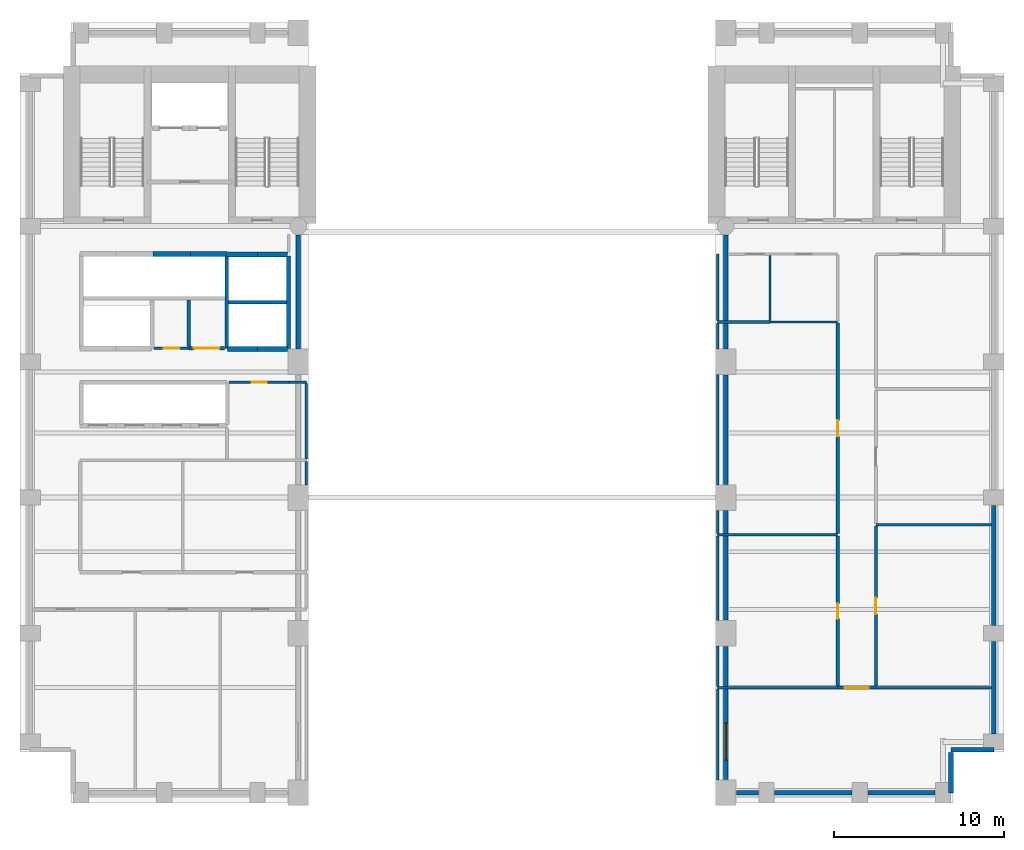
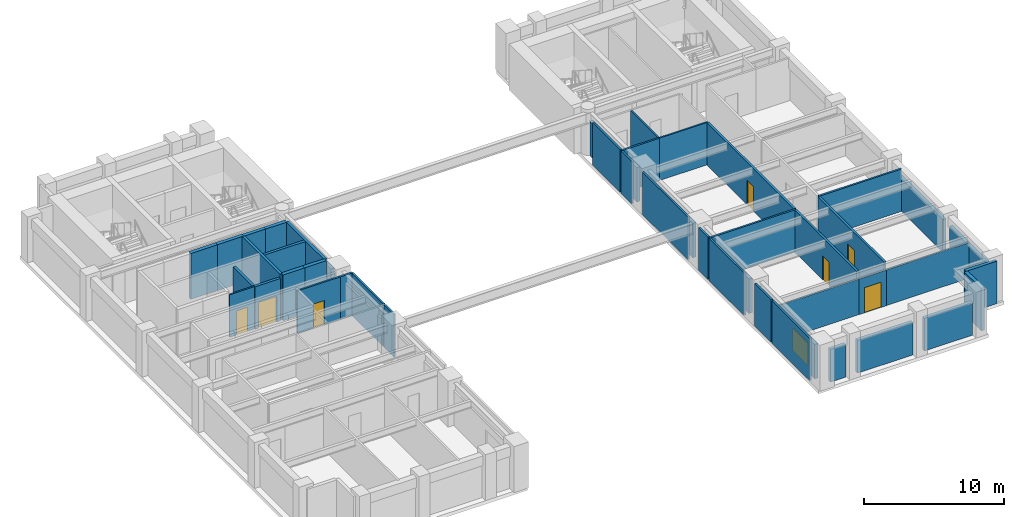
# One storey, part 3 of 7: 46 walls, 7 doors, 1 window, 8 openings.
"""IFC4 building model written with IfcOpenShell, lengths in metres."""

from ifc_helpers import new_model, si_unit, direction, frame, frame_2d, origin, place, context, subcontext, project, spatial, rectangle, extrude, material, layer, layer_set, type_object, element, fill, save


model = new_model("IFC4")

# Units and contexts
model_context = context("Model", 3, precision=1e-05, world=origin(), true_north=direction((0.0, 1.0)))
body_context = subcontext(model_context, "Body", "Model", "MODEL_VIEW")
ifc_project = project(units=[si_unit("LENGTHUNIT", "METRE"), si_unit("AREAUNIT", "SQUARE_METRE"), si_unit("VOLUMEUNIT", "CUBIC_METRE"), si_unit("PLANEANGLEUNIT", "RADIAN"), si_unit("MASSUNIT", "GRAM", prefix="KILO")], contexts=[model_context])

# Site, building, storey
site_placement = place(None, origin())
site = spatial("IfcSite", under=ifc_project, at=site_placement, CompositionType="ELEMENT")
building_placement = place(site_placement, origin())
building = spatial("IfcBuilding", under=site, at=building_placement, Name="Sulina Concourse Tower", CompositionType="ELEMENT")
storey_placement = place(building_placement, frame((0.0, 0.0, 34.60009765625)))
storey = spatial("IfcBuildingStorey", under=building, at=storey_placement, Name="L08", CompositionType="ELEMENT", Elevation=34.60009765625)

# Walls
ifc_material_1 = material(Name="Concrete C50/60", Category="concrete")
ifc_layer_1 = layer(ifc_material_1, 0.219970703125)
ifc_layer_set_1 = layer_set([ifc_layer_1], Name="Concrete C50/60")
wall_type_1 = type_object("IfcWallType", Name="Core Lift Hoistway Divider Wall 220mm", PredefinedType="SOLIDWALL", material=ifc_layer_set_1)
for number, where, z_axis, x_axis, name in (
    (1, (12.179931640625, 26.800048828125, 0.0), (0.0, 0.0, 1.0), (0.0, 1.0, 0.0), "L08 shaft divider wall HW-LP2-W"),
    (2, (15.820068359375, 26.800048828125, 0.0), (0.0, 0.0, 1.0), (0.0, 1.0, 0.0), "L08 shaft divider wall HW-LP2-E"),
):
    element("IfcWall", number, at=place(storey_placement, frame(where, z_axis=z_axis, x_axis=x_axis)), inside=storey, type_object=wall_type_1, Name=name, PredefinedType="SOLIDWALL", context=body_context, shape_type="SweptSolid", body=[
        extrude(rectangle(XDim=5.449951171875, YDim=0.219970703125, at=frame_2d((2.72509765625, 0.0))), origin(), (0.0, 0.0, 1.0), 4.0),
    ])
wall_1_placement = place(storey_placement, frame((12.300048828125, 29.52001953125, 0.0), z_axis=(0.0, 0.0, 1.0), x_axis=(1.0, 0.0, 0.0)))
element("IfcWall", 3, at=wall_1_placement, inside=storey, type_object=wall_type_1, Name="L08 shaft divider wall HW-LP2-M", PredefinedType="SOLIDWALL", context=body_context, shape_type="SweptSolid", body=[
    extrude(rectangle(XDim=3.39990234375, YDim=0.219970703125, at=frame_2d((1.699951171875, 0.0))), origin(), (0.0, 0.0, 1.0), 4.0),
])
ifc_material_2 = material(Name="Concrete C50/60", Category="concrete")
ifc_layer_2 = layer(ifc_material_2, 0.300048828125)
ifc_layer_set_2 = layer_set([ifc_layer_2], Name="Concrete C50/60")
wall_type_2 = type_object("IfcWallType", Name="Core Lift Hoistway Wall 300mm", PredefinedType="SOLIDWALL", material=ifc_layer_set_2)
for number, where, z_axis, x_axis, name in (
    (4, (14.0, 26.75, 0.0), (0.0, 0.0, 1.0), (-1.0, 0.0, 0.0), "L08 hoistway enclosure wall LP-05"),
    (5, (15.780029296875, 26.75, 0.0), (0.0, 0.0, 1.0), (-1.0, 0.0, 0.0), "L08 hoistway enclosure wall LP-06"),
    (6, (12.219970703125, 32.320068359375, 0.0), (0.0, 0.0, 1.0), (1.0, 0.0, 0.0), "L08 hoistway enclosure wall LP-07"),
    (7, (14.0, 32.320068359375, 0.0), (0.0, 0.0, 1.0), (1.0, 0.0, 0.0), "L08 hoistway enclosure wall LP-08"),
):
    element("IfcWall", number, at=place(storey_placement, frame(where, z_axis=z_axis, x_axis=x_axis)), inside=storey, type_object=wall_type_2, Name=name, PredefinedType="SOLIDWALL", context=body_context, shape_type="SweptSolid", body=[
        extrude(rectangle(XDim=1.780029296875, YDim=0.300048828125, at=frame_2d((0.89013671875, 0.0))), origin(), (0.0, 0.0, 1.0), 4.0),
    ])
wall_2_placement = place(storey_placement, frame((7.85009765625, 32.35009765625, 0.0), z_axis=(0.0, 0.0, 1.0), x_axis=(1.0, 0.0, 0.0)))
element("IfcWall", 8, at=wall_2_placement, inside=storey, type_object=wall_type_2, Name="L08 hoistway enclosure wall LP-11", PredefinedType="SOLIDWALL", context=body_context, shape_type="SweptSolid", body=[
    extrude(rectangle(XDim=2.199951171875, YDim=0.300048828125, at=frame_2d((1.10009765625, 0.0))), origin(), (0.0, 0.0, 1.0), 4.0),
])
wall_3_placement = place(storey_placement, frame((10.050048828125, 32.35009765625, 0.0), z_axis=(0.0, 0.0, 1.0), x_axis=(1.0, 0.0, 0.0)))
element("IfcWall", 9, at=wall_3_placement, inside=storey, type_object=wall_type_2, Name="L08 hoistway enclosure wall LP-12", PredefinedType="SOLIDWALL", context=body_context, shape_type="SweptSolid", body=[
    extrude(rectangle(XDim=2.14990234375, YDim=0.300048828125, at=frame_2d((1.074951171875, 0.0))), origin(), (0.0, 0.0, 1.0), 4.0),
])

# Wall, opening, door
ifc_material_3 = material(Name="Gypsum board on steel stud", Category="steel")
ifc_layer_3 = layer(ifc_material_3, 0.219970703125)
ifc_layer_set_3 = layer_set([ifc_layer_3], Name="Gypsum board on steel stud")
wall_type_3 = type_object("IfcWallType", Name="Fire-Rated Lobby & Compartment Wall 220mm", PredefinedType="PARTITIONING", material=ifc_layer_set_3)
wall_4_placement = place(storey_placement, frame((9.949951171875, 26.800048828125, 0.0), z_axis=(0.0, 0.0, 1.0), x_axis=(1.0, 0.0, 0.0)))
wall_4 = element("IfcWall", 10, at=wall_4_placement, inside=storey, type_object=wall_type_3, Name="L08 interior partition 019", PredefinedType="PARTITIONING", context=body_context, shape_type="SweptSolid", body=[
    extrude(rectangle(XDim=2.10009765625, YDim=0.219970703125, at=frame_2d((1.050048828125, 0.0))), origin(), (0.0, 0.0, 1.0), 3.699951171875),
])
opening_1_placement = place(wall_4_placement, frame((0.300048828125, 0.0, 0.0)))
opening_1 = element("IfcOpeningElement", 11, at=opening_1_placement, cuts=wall_4, Name="Opening DR-80", PredefinedType="OPENING", context=body_context, shape_type="SweptSolid", body=[
    extrude(rectangle(XDim=1.5, YDim=2.25, at=frame_2d((0.75, 1.125))), frame((0.0, 0.119873046875, 0.0), z_axis=(0.0, -1.0, 0.0), x_axis=(1.0, 0.0, 0.0)), (0.0, 0.0, 1.0), 0.239990234375),
])
ifc_material_4 = material(Name="Galvanised steel acoustic fire leaf", Category="steel")
ifc_layer_4 = layer(ifc_material_4, 0.054931640625)
ifc_layer_set_4 = layer_set([ifc_layer_4], Name="Galvanised steel acoustic fire leaf")
door_type_1 = type_object("IfcDoorType", Name="Mechanical Plant Double Fire Door 1500x2250", OperationType="DOUBLE_DOOR_SINGLE_SWING", PredefinedType="DOOR", material=ifc_layer_set_4)
door_1_placement = place(opening_1_placement, origin())
door_1 = element("IfcDoor", 12, at=door_1_placement, inside=storey, type_object=door_type_1, Name="L08 interior door L08-IT-IDF", OperationType="DOUBLE_DOOR_SINGLE_SWING", OverallHeight=2.25, OverallWidth=1.5, PredefinedType="DOOR", context=body_context, shape_type="SweptSolid", body=[
    extrude(rectangle(XDim=1.5, YDim=2.25, at=frame_2d((0.75, 1.125))), frame((0.0, 0.02490234375, 0.0), z_axis=(0.0, -1.0, 0.0), x_axis=(1.0, 0.0, 0.0)), (0.0, 0.0, 1.0), 0.050048828125),
])
fill(opening_1, door_1)

# Walls
wall_5_placement = place(storey_placement, frame((9.949951171875, 26.909912109375, 0.0), z_axis=(0.0, 0.0, 1.0), x_axis=(0.0, 1.0, 0.0)))
element("IfcWall", 13, at=wall_5_placement, inside=storey, type_object=wall_type_3, Name="L08 interior partition 032", PredefinedType="PARTITIONING", context=body_context, shape_type="SweptSolid", body=[
    extrude(rectangle(XDim=2.72998046875, YDim=0.219970703125, at=frame_2d((1.364990234375, 0.0))), origin(), (0.0, 0.0, 1.0), 3.699951171875),
])
ifc_material_5 = material(Name="Gypsum board on steel stud", Category="steel")
ifc_layer_5 = layer(ifc_material_5, 0.14990234375)
ifc_layer_set_5 = layer_set([ifc_layer_5], Name="Gypsum board on steel stud")
wall_type_4 = type_object("IfcWallType", Name="Inter-Tenancy Acoustic Partition 150mm", PredefinedType="PARTITIONING", material=ifc_layer_set_5)
wall_6_placement = place(storey_placement, frame((41.1201171875, 6.800048828125, 0.0), z_axis=(0.0, 0.0, 1.0), x_axis=(1.0, 0.0, 0.0)))
element("IfcWall", 14, at=wall_6_placement, inside=storey, type_object=wall_type_4, Name="L08 interior partition 001", PredefinedType="PARTITIONING", context=body_context, shape_type="SweptSolid", body=[
    extrude(rectangle(XDim=7.079833984375, YDim=0.14990234375, at=frame_2d((3.5400390625, 0.0))), origin(), (0.0, 0.0, 1.0), 3.094970703125),
])
wall_7_placement = place(storey_placement, frame((50.449951171875, 6.800048828125, 0.0), z_axis=(0.0, 0.0, 1.0), x_axis=(1.0, 0.0, 0.0)))
element("IfcWall", 15, at=wall_7_placement, inside=storey, type_object=wall_type_4, Name="L08 interior partition 003", PredefinedType="PARTITIONING", context=body_context, shape_type="SweptSolid", body=[
    extrude(rectangle(XDim=6.81005859375, YDim=0.14990234375, at=frame_2d((3.405029296875, 0.0))), origin(), (0.0, 0.0, 1.0), 3.094970703125),
])
wall_8_placement = place(storey_placement, frame((41.1201171875, 15.800048828125, 0.0), z_axis=(0.0, 0.0, 1.0), x_axis=(1.0, 0.0, 0.0)))
element("IfcWall", 16, at=wall_8_placement, inside=storey, type_object=wall_type_4, Name="L08 interior partition 010", PredefinedType="PARTITIONING", context=body_context, shape_type="SweptSolid", body=[
    extrude(rectangle(XDim=7.079833984375, YDim=0.14990234375, at=frame_2d((3.5400390625, 0.0))), origin(), (0.0, 0.0, 1.0), 3.699951171875),
])
wall_9_placement = place(storey_placement, frame((50.449951171875, 16.39990234375, 0.0), z_axis=(0.0, 0.0, 1.0), x_axis=(1.0, 0.0, 0.0)))
element("IfcWall", 17, at=wall_9_placement, inside=storey, type_object=wall_type_4, Name="L08 interior partition 011", PredefinedType="PARTITIONING", context=body_context, shape_type="SweptSolid", body=[
    extrude(rectangle(XDim=6.81005859375, YDim=0.14990234375, at=frame_2d((3.405029296875, 0.0))), origin(), (0.0, 0.0, 1.0), 3.699951171875),
])

# Wall, opening, door
wall_10_placement = place(storey_placement, frame((12.330078125, 24.800048828125, 0.0), z_axis=(0.0, 0.0, 1.0), x_axis=(1.0, 0.0, 0.0)))
wall_10 = element("IfcWall", 18, at=wall_10_placement, inside=storey, type_object=wall_type_4, Name="L08 interior partition 016", PredefinedType="PARTITIONING", context=body_context, shape_type="SweptSolid", body=[
    extrude(rectangle(XDim=3.52001953125, YDim=0.14990234375, at=frame_2d((1.760009765625, 0.0))), origin(), (0.0, 0.0, 1.0), 3.699951171875),
])
opening_2_placement = place(wall_10_placement, frame((1.320068359375, 0.0, 0.0)))
opening_2 = element("IfcOpeningElement", 19, at=opening_2_placement, cuts=wall_10, Name="Opening DR-38", PredefinedType="OPENING", context=body_context, shape_type="SweptSolid", body=[
    extrude(rectangle(XDim=0.8798828125, YDim=2.10009765625, at=frame_2d((0.43994140625, 1.050048828125))), frame((0.0, 0.0849609375, 0.0), z_axis=(0.0, -1.0, 0.0), x_axis=(1.0, 0.0, 0.0)), (0.0, 0.0, 1.0), 0.169921875),
])
ifc_material_6 = material(Name="Galvanised steel acoustic fire leaf", Category="steel")
ifc_layer_6 = layer(ifc_material_6, 0.050048828125)
ifc_layer_set_6 = layer_set([ifc_layer_6], Name="Galvanised steel acoustic fire leaf")
door_type_2 = type_object("IfcDoorType", Name="Service Riser Fire Door 880x2100", OperationType="NOTDEFINED", PredefinedType="DOOR", material=ifc_layer_set_6)
door_2_placement = place(opening_2_placement, origin())
door_2 = element("IfcDoor", 20, at=door_2_placement, inside=storey, type_object=door_type_2, Name="L08 interior door L08-STR-WL", OperationType="SINGLE_SWING_LEFT", OverallHeight=2.10009765625, OverallWidth=0.8798828125, PredefinedType="DOOR", context=body_context, shape_type="SweptSolid", body=[
    extrude(rectangle(XDim=0.8798828125, YDim=2.10009765625, at=frame_2d((0.43994140625, 1.050048828125))), frame((0.0, 0.02490234375, 0.0), z_axis=(0.0, -1.0, 0.0), x_axis=(1.0, 0.0, 0.0)), (0.0, 0.0, 1.0), 0.050048828125),
])
fill(opening_2, door_2)

# Walls
wall_11_placement = place(storey_placement, frame((15.85009765625, 24.800048828125, 0.0), z_axis=(0.0, 0.0, 1.0), x_axis=(1.0, 0.0, 0.0)))
element("IfcWall", 21, at=wall_11_placement, inside=storey, type_object=wall_type_4, Name="L08 interior partition 017", PredefinedType="PARTITIONING", context=body_context, shape_type="SweptSolid", body=[
    extrude(rectangle(XDim=1.02978515625, YDim=0.14990234375, at=frame_2d((0.514892578125, 0.0))), origin(), (0.0, 0.0, 1.0), 3.699951171875),
])
wall_12_placement = place(storey_placement, frame((41.1201171875, 28.35009765625, 0.0), z_axis=(0.0, 0.0, 1.0), x_axis=(1.0, 0.0, 0.0)))
element("IfcWall", 22, at=wall_12_placement, inside=storey, type_object=wall_type_4, Name="L08 interior partition 020", PredefinedType="PARTITIONING", context=body_context, shape_type="SweptSolid", body=[
    extrude(rectangle(XDim=3.079833984375, YDim=0.14990234375, at=frame_2d((1.5400390625, 0.0))), origin(), (0.0, 0.0, 1.0), 3.699951171875),
])
wall_13_placement = place(storey_placement, frame((16.8798828125, 18.75, 0.0), z_axis=(0.0, 0.0, 1.0), x_axis=(0.0, 1.0, 0.0)))
element("IfcWall", 23, at=wall_13_placement, inside=storey, type_object=wall_type_4, Name="L08 interior partition 039", PredefinedType="PARTITIONING", context=body_context, shape_type="SweptSolid", body=[
    extrude(rectangle(XDim=1.375, YDim=0.14990234375, at=frame_2d((0.6875, 0.0))), origin(), (0.0, 0.0, 1.0), 3.699951171875),
])
wall_14_placement = place(storey_placement, frame((16.8798828125, 20.27490234375, 0.0), z_axis=(0.0, 0.0, 1.0), x_axis=(0.0, 1.0, 0.0)))
element("IfcWall", 24, at=wall_14_placement, inside=storey, type_object=wall_type_4, Name="L08 interior partition 040", PredefinedType="PARTITIONING", context=body_context, shape_type="SweptSolid", body=[
    extrude(rectangle(XDim=4.4501953125, YDim=0.14990234375, at=frame_2d((2.22509765625, 0.0))), origin(), (0.0, 0.0, 1.0), 3.699951171875),
])
wall_15_placement = place(storey_placement, frame((41.1201171875, 1.35009765625, 0.0), z_axis=(0.0, 0.0, 1.0), x_axis=(0.0, 1.0, 0.0)))
element("IfcWall", 25, at=wall_15_placement, inside=storey, type_object=wall_type_4, Name="L08 interior partition 041", PredefinedType="PARTITIONING", context=body_context, shape_type="SweptSolid", body=[
    extrude(rectangle(XDim=5.375, YDim=0.14990234375, at=frame_2d((2.6875, 0.0))), origin(), (0.0, 0.0, 1.0), 3.699951171875),
])
wall_16_placement = place(storey_placement, frame((41.1201171875, 6.875, 0.0), z_axis=(0.0, 0.0, 1.0), x_axis=(0.0, 1.0, 0.0)))
element("IfcWall", 26, at=wall_16_placement, inside=storey, type_object=wall_type_4, Name="L08 interior partition 042", PredefinedType="PARTITIONING", context=body_context, shape_type="SweptSolid", body=[
    extrude(rectangle(XDim=2.375, YDim=0.14990234375, at=frame_2d((1.1875, 0.0))), origin(), (0.0, 0.0, 1.0), 3.699951171875),
])
wall_17_placement = place(storey_placement, frame((41.1201171875, 10.75, 0.0), z_axis=(0.0, 0.0, 1.0), x_axis=(0.0, 1.0, 0.0)))
element("IfcWall", 27, at=wall_17_placement, inside=storey, type_object=wall_type_4, Name="L08 interior partition 043", PredefinedType="PARTITIONING", context=body_context, shape_type="SweptSolid", body=[
    extrude(rectangle(XDim=4.97509765625, YDim=0.14990234375, at=frame_2d((2.487548828125, 0.0))), origin(), (0.0, 0.0, 1.0), 3.699951171875),
])
wall_18_placement = place(storey_placement, frame((41.1201171875, 15.875, 0.0), z_axis=(0.0, 0.0, 1.0), x_axis=(0.0, 1.0, 0.0)))
element("IfcWall", 28, at=wall_18_placement, inside=storey, type_object=wall_type_4, Name="L08 interior partition 044", PredefinedType="PARTITIONING", context=body_context, shape_type="SweptSolid", body=[
    extrude(rectangle(XDim=1.375, YDim=0.14990234375, at=frame_2d((0.6875, 0.0))), origin(), (0.0, 0.0, 1.0), 3.699951171875),
])
wall_19_placement = place(storey_placement, frame((41.1201171875, 18.75, 0.0), z_axis=(0.0, 0.0, 1.0), x_axis=(0.0, 1.0, 0.0)))
element("IfcWall", 29, at=wall_19_placement, inside=storey, type_object=wall_type_4, Name="L08 interior partition 045", PredefinedType="PARTITIONING", context=body_context, shape_type="SweptSolid", body=[
    extrude(rectangle(XDim=6.5, YDim=0.14990234375, at=frame_2d((3.25, 0.0))), origin(), (0.0, 0.0, 1.0), 3.699951171875),
])
wall_20_placement = place(storey_placement, frame((41.1201171875, 26.75, 0.0), z_axis=(0.0, 0.0, 1.0), x_axis=(0.0, 1.0, 0.0)))
element("IfcWall", 30, at=wall_20_placement, inside=storey, type_object=wall_type_4, Name="L08 interior partition 046", PredefinedType="PARTITIONING", context=body_context, shape_type="SweptSolid", body=[
    extrude(rectangle(XDim=1.52490234375, YDim=0.14990234375, at=frame_2d((0.762451171875, 0.0))), origin(), (0.0, 0.0, 1.0), 3.699951171875),
])
wall_21_placement = place(storey_placement, frame((41.1201171875, 28.425048828125, 0.0), z_axis=(0.0, 0.0, 1.0), x_axis=(0.0, 1.0, 0.0)))
element("IfcWall", 31, at=wall_21_placement, inside=storey, type_object=wall_type_4, Name="L08 interior partition 047", PredefinedType="PARTITIONING", context=body_context, shape_type="SweptSolid", body=[
    extrude(rectangle(XDim=3.925048828125, YDim=0.14990234375, at=frame_2d((1.96240234375, 0.0))), origin(), (0.0, 0.0, 1.0), 3.699951171875),
])

# Wall, opening, door
ifc_material_7 = material(Name="Gypsum board on steel stud", Category="steel")
ifc_layer_7 = layer(ifc_material_7, 0.179931640625)
ifc_layer_set_7 = layer_set([ifc_layer_7], Name="Gypsum board on steel stud")
wall_type_5 = type_object("IfcWallType", Name="Protected Corridor & Riser Partition 180mm", PredefinedType="PARTITIONING", material=ifc_layer_set_7)
wall_22_placement = place(storey_placement, frame((48.199951171875, 6.800048828125, 0.0), z_axis=(0.0, 0.0, 1.0), x_axis=(1.0, 0.0, 0.0)))
wall_22 = element("IfcWall", 32, at=wall_22_placement, inside=storey, type_object=wall_type_5, Name="L08 interior partition 002", PredefinedType="PARTITIONING", context=body_context, shape_type="SweptSolid", body=[
    extrude(rectangle(XDim=2.25, YDim=0.179931640625, at=frame_2d((1.125, 0.0))), origin(), (0.0, 0.0, 1.0), 3.094970703125),
])
opening_3_placement = place(wall_22_placement, frame((0.425048828125, 0.0, 0.0)))
opening_3 = element("IfcOpeningElement", 33, at=opening_3_placement, cuts=wall_22, Name="Opening DR-57", PredefinedType="OPENING", context=body_context, shape_type="SweptSolid", body=[
    extrude(rectangle(XDim=1.39990234375, YDim=2.199951171875, at=frame_2d((0.699951171875, 1.10009765625))), frame((0.0, 0.099853515625, 0.0), z_axis=(0.0, -1.0, 0.0), x_axis=(1.0, 0.0, 0.0)), (0.0, 0.0, 1.0), 0.199951171875),
])
ifc_material_8 = material(Name="Oak-veneered fire door leaf")
ifc_layer_8 = layer(ifc_material_8, 0.054931640625)
ifc_layer_set_8 = layer_set([ifc_layer_8], Name="Oak-veneered fire door leaf")
door_type_3 = type_object("IfcDoorType", Name="Core Lift Lobby Double Fire Door 1400x2200", OperationType="DOUBLE_DOOR_SINGLE_SWING", PredefinedType="DOOR", material=ifc_layer_set_8)
door_3_placement = place(opening_3_placement, origin())
door_3 = element("IfcDoor", 34, at=door_3_placement, inside=storey, type_object=door_type_3, Name="L08 interior door L08-FOR-E1", OperationType="DOUBLE_DOOR_SINGLE_SWING", OverallHeight=2.199951171875, OverallWidth=1.39990234375, PredefinedType="DOOR", context=body_context, shape_type="SweptSolid", body=[
    extrude(rectangle(XDim=1.39990234375, YDim=2.199951171875, at=frame_2d((0.699951171875, 1.10009765625))), frame((0.0, 0.02490234375, 0.0), z_axis=(0.0, -1.0, 0.0), x_axis=(1.0, 0.0, 0.0)), (0.0, 0.0, 1.0), 0.050048828125),
])
fill(opening_3, door_3)

wall_23_placement = place(storey_placement, frame((48.199951171875, 6.889892578125, 0.0), z_axis=(0.0, 0.0, 1.0), x_axis=(0.0, 1.0, 0.0)))
wall_23 = element("IfcWall", 35, at=wall_23_placement, inside=storey, type_object=wall_type_5, Name="L08 interior partition 050", PredefinedType="PARTITIONING", context=body_context, shape_type="SweptSolid", body=[
    extrude(rectangle(XDim=8.835205078125, YDim=0.179931640625, at=frame_2d((4.41748046875, 0.0))), origin(), (0.0, 0.0, 1.0), 3.699951171875),
])
opening_4_placement = place(wall_23_placement, frame((3.9775390625, 0.0, 0.0)))
opening_4 = element("IfcOpeningElement", 36, at=opening_4_placement, cuts=wall_23, Name="Opening DR-38", PredefinedType="OPENING", context=body_context, shape_type="SweptSolid", body=[
    extrude(rectangle(XDim=0.8798828125, YDim=2.10009765625, at=frame_2d((0.43994140625, 1.050048828125))), frame((0.0, 0.099853515625, 0.0), z_axis=(0.0, -1.0, 0.0), x_axis=(1.0, 0.0, 0.0)), (0.0, 0.0, 1.0), 0.199951171875),
])
door_4_placement = place(opening_4_placement, origin())
door_4 = element("IfcDoor", 37, at=door_4_placement, inside=storey, type_object=door_type_2, Name="L08 interior door L08-STR-E1", OperationType="SINGLE_SWING_RIGHT", OverallHeight=2.10009765625, OverallWidth=0.8798828125, PredefinedType="DOOR", context=body_context, shape_type="SweptSolid", body=[
    extrude(rectangle(XDim=0.8798828125, YDim=2.10009765625, at=frame_2d((0.43994140625, 1.050048828125))), frame((0.0, 0.02490234375, 0.0), z_axis=(0.0, -1.0, 0.0), x_axis=(1.0, 0.0, 0.0)), (0.0, 0.0, 1.0), 0.050048828125),
])
fill(opening_4, door_4)

wall_24_placement = place(storey_placement, frame((48.199951171875, 15.875, 0.0), z_axis=(0.0, 0.0, 1.0), x_axis=(0.0, 1.0, 0.0)))
wall_24 = element("IfcWall", 38, at=wall_24_placement, inside=storey, type_object=wall_type_5, Name="L08 interior partition 051", PredefinedType="PARTITIONING", context=body_context, shape_type="SweptSolid", body=[
    extrude(rectangle(XDim=12.41259765625, YDim=0.179931640625, at=frame_2d((6.206298828125, 0.0))), origin(), (0.0, 0.0, 1.0), 3.699951171875),
])
opening_5_placement = place(wall_24_placement, frame((5.731201171875, 0.0, 0.0)))
opening_5 = element("IfcOpeningElement", 39, at=opening_5_placement, cuts=wall_24, Name="Opening DR-19", PredefinedType="OPENING", context=body_context, shape_type="SweptSolid", body=[
    extrude(rectangle(XDim=0.949951171875, YDim=2.14990234375, at=frame_2d((0.47509765625, 1.074951171875))), frame((0.0, 0.099853515625, 0.0), z_axis=(0.0, -1.0, 0.0), x_axis=(1.0, 0.0, 0.0)), (0.0, 0.0, 1.0), 0.199951171875),
])
ifc_material_9 = material(Name="Oak-veneered acoustic timber leaf", Category="wood")
ifc_layer_9 = layer(ifc_material_9, 0.050048828125)
ifc_layer_set_9 = layer_set([ifc_layer_9], Name="Oak-veneered acoustic timber leaf")
door_type_4 = type_object("IfcDoorType", Name="Cellular Office & Meeting Door 950x2150", OperationType="NOTDEFINED", PredefinedType="DOOR", material=ifc_layer_set_9)
door_5_placement = place(opening_5_placement, origin())
door_5 = element("IfcDoor", 40, at=door_5_placement, inside=storey, type_object=door_type_4, Name="L08 interior door L08-MTG-E2", OperationType="SINGLE_SWING_LEFT", OverallHeight=2.14990234375, OverallWidth=0.949951171875, PredefinedType="DOOR", context=body_context, shape_type="SweptSolid", body=[
    extrude(rectangle(XDim=0.949951171875, YDim=2.14990234375, at=frame_2d((0.47509765625, 1.074951171875))), frame((0.0, 0.02490234375, 0.0), z_axis=(0.0, -1.0, 0.0), x_axis=(1.0, 0.0, 0.0)), (0.0, 0.0, 1.0), 0.050048828125),
])
fill(opening_5, door_5)

wall_25_placement = place(storey_placement, frame((50.449951171875, 6.889892578125, 0.0), z_axis=(0.0, 0.0, 1.0), x_axis=(0.0, 1.0, 0.0)))
wall_25 = element("IfcWall", 41, at=wall_25_placement, inside=storey, type_object=wall_type_5, Name="L08 interior partition 053", PredefinedType="PARTITIONING", context=body_context, shape_type="SweptSolid", body=[
    extrude(rectangle(XDim=9.43505859375, YDim=0.179931640625, at=frame_2d((4.717529296875, 0.0))), origin(), (0.0, 0.0, 1.0), 3.699951171875),
])
opening_6_placement = place(wall_25_placement, frame((4.242431640625, 0.0, 0.0)))
opening_6 = element("IfcOpeningElement", 42, at=opening_6_placement, cuts=wall_25, Name="Opening DR-19", PredefinedType="OPENING", context=body_context, shape_type="SweptSolid", body=[
    extrude(rectangle(XDim=0.949951171875, YDim=2.14990234375, at=frame_2d((0.47509765625, 1.074951171875))), frame((0.0, 0.099853515625, 0.0), z_axis=(0.0, -1.0, 0.0), x_axis=(1.0, 0.0, 0.0)), (0.0, 0.0, 1.0), 0.199951171875),
])
door_6_placement = place(opening_6_placement, origin())
door_6 = element("IfcDoor", 43, at=door_6_placement, inside=storey, type_object=door_type_4, Name="L08 interior door L08-STD-E1", OperationType="SINGLE_SWING_RIGHT", OverallHeight=2.14990234375, OverallWidth=0.949951171875, PredefinedType="DOOR", context=body_context, shape_type="SweptSolid", body=[
    extrude(rectangle(XDim=0.949951171875, YDim=2.14990234375, at=frame_2d((0.47509765625, 1.074951171875))), frame((0.0, 0.02490234375, 0.0), z_axis=(0.0, -1.0, 0.0), x_axis=(1.0, 0.0, 0.0)), (0.0, 0.0, 1.0), 0.050048828125),
])
fill(opening_6, door_6)

# Walls
ifc_material_10 = material(Name="Precast concrete C50/60", Category="concrete")
ifc_layer_10 = layer(ifc_material_10, 0.280029296875)
ifc_layer_set_10 = layer_set([ifc_layer_10], Name="Precast concrete C50/60")
wall_type_6 = type_object("IfcWallType", Name="Typical Precast Masonry-Frame Facade Wall 280mm", PredefinedType="SOLIDWALL", material=ifc_layer_set_10)
wall_26_placement = place(storey_placement, frame((43.530029296875, 0.60009765625, 0.0), z_axis=(0.0, 0.0, 1.0), x_axis=(-1.0, 0.0, 0.0)))
element("IfcWall", 44, at=wall_26_placement, inside=storey, type_object=wall_type_6, Name="L08 exterior precast wall S5", PredefinedType="SOLIDWALL", context=body_context, shape_type="SweptSolid", body=[
    extrude(rectangle(XDim=1.31005859375, YDim=0.280029296875, at=frame_2d((0.655029296875, 0.0))), origin(), (0.0, 0.0, 1.0), 2.849853515625),
])
wall_27_placement = place(storey_placement, frame((49.030029296875, 0.60009765625, 0.0), z_axis=(0.0, 0.0, 1.0), x_axis=(-1.0, 0.0, 0.0)))
element("IfcWall", 45, at=wall_27_placement, inside=storey, type_object=wall_type_6, Name="L08 exterior precast wall S6", PredefinedType="SOLIDWALL", context=body_context, shape_type="SweptSolid", body=[
    extrude(rectangle(XDim=4.56005859375, YDim=0.280029296875, at=frame_2d((2.280029296875, 0.0))), origin(), (0.0, 0.0, 1.0), 2.849853515625),
])
wall_28_placement = place(storey_placement, frame((53.929931640625, 0.60009765625, 0.0), z_axis=(0.0, 0.0, 1.0), x_axis=(-1.0, 0.0, 0.0)))
element("IfcWall", 46, at=wall_28_placement, inside=storey, type_object=wall_type_6, Name="L08 exterior precast wall S7", PredefinedType="SOLIDWALL", context=body_context, shape_type="SweptSolid", body=[
    extrude(rectangle(XDim=3.9599609375, YDim=0.280029296875, at=frame_2d((1.97998046875, 0.0))), origin(), (0.0, 0.0, 1.0), 2.849853515625),
])
wall_29_placement = place(storey_placement, frame((57.39990234375, 9.530029296875, 0.0), z_axis=(0.0, 0.0, 1.0), x_axis=(0.0, -1.0, 0.0)))
element("IfcWall", 47, at=wall_29_placement, inside=storey, type_object=wall_type_6, Name="L08 exterior precast wall E1", PredefinedType="SOLIDWALL", context=body_context, shape_type="SweptSolid", body=[
    extrude(rectangle(XDim=5.4599609375, YDim=0.280029296875, at=frame_2d((2.72998046875, 0.0))), origin(), (0.0, 0.0, 1.0), 2.849853515625),
])
wall_30_placement = place(storey_placement, frame((57.39990234375, 17.530029296875, 0.0), z_axis=(0.0, 0.0, 1.0), x_axis=(0.0, -1.0, 0.0)))
element("IfcWall", 48, at=wall_30_placement, inside=storey, type_object=wall_type_6, Name="L08 exterior precast wall E2", PredefinedType="SOLIDWALL", context=body_context, shape_type="SweptSolid", body=[
    extrude(rectangle(XDim=7.06005859375, YDim=0.280029296875, at=frame_2d((3.530029296875, 0.0))), origin(), (0.0, 0.0, 1.0), 2.849853515625),
])
wall_31_placement = place(storey_placement, frame((57.39990234375, 3.1298828125, 0.0), z_axis=(0.0, 0.0, 1.0), x_axis=(-1.0, 0.0, 0.0)))
element("IfcWall", 49, at=wall_31_placement, inside=storey, type_object=wall_type_6, Name="L08 exterior precast wall CSE1", PredefinedType="SOLIDWALL", context=body_context, shape_type="SweptSolid", body=[
    extrude(rectangle(XDim=2.52978515625, YDim=0.280029296875, at=frame_2d((1.264892578125, 0.0))), origin(), (0.0, 0.0, 1.0), 3.699951171875),
])
wall_32_placement = place(storey_placement, frame((54.8701171875, 2.985107421875, 0.0), z_axis=(0.0, 0.0, 1.0), x_axis=(0.0, -1.0, 0.0)))
element("IfcWall", 50, at=wall_32_placement, inside=storey, type_object=wall_type_6, Name="L08 exterior precast wall CSE2", PredefinedType="SOLIDWALL", context=body_context, shape_type="SweptSolid", body=[
    extrude(rectangle(XDim=2.385009765625, YDim=0.280029296875, at=frame_2d((1.1923828125, 0.0))), origin(), (0.0, 0.0, 1.0), 3.699951171875),
])

# Wall, opening, window
wall_33_placement = place(storey_placement, frame((41.60009765625, 1.3701171875, 0.0), z_axis=(0.0, 0.0, 1.0), x_axis=(0.0, 1.0, 0.0)))
wall_33 = element("IfcWall", 51, at=wall_33_placement, inside=storey, type_object=wall_type_6, Name="L08 exterior precast wall PE1", PredefinedType="SOLIDWALL", context=body_context, shape_type="SweptSolid", body=[
    extrude(rectangle(XDim=7.85986328125, YDim=0.280029296875, at=frame_2d((3.929931640625, 0.0))), origin(), (0.0, 0.0, 1.0), 3.0),
])
opening_7_placement = place(wall_33_placement, frame((1.1533203125, 0.0, 0.419921875)))
opening_7 = element("IfcOpeningElement", 52, at=opening_7_placement, cuts=wall_33, Name="Opening WN-76", PredefinedType="OPENING", context=body_context, shape_type="SweptSolid", body=[
    extrude(rectangle(XDim=2.199951171875, YDim=1.949951171875, at=frame_2d((1.10009765625, 0.97509765625))), frame((0.0, 0.14990234375, 0.0), z_axis=(0.0, -1.0, 0.0), x_axis=(1.0, 0.0, 0.0)), (0.0, 0.0, 1.0), 0.300048828125),
])
ifc_material_11 = material(Name="Low-E solar double glazing in bronze aluminium", Category="aluminium")
window_type = type_object("IfcWindowType", Name="Recessed Spandrel Window 2200x1950", PartitioningType="DOUBLE_PANEL_VERTICAL", PredefinedType="WINDOW", material=ifc_material_11)
window_placement = place(opening_7_placement, origin())
window = element("IfcWindow", 53, at=window_placement, inside=storey, type_object=window_type, Name="L08 punched window PE1-1", OverallHeight=1.949951171875, OverallWidth=2.199951171875, PartitioningType="SINGLE_PANEL", PredefinedType="WINDOW", context=body_context, shape_type="SweptSolid", body=[
    extrude(rectangle(XDim=2.199951171875, YDim=1.949951171875, at=frame_2d((1.10009765625, 0.97509765625))), frame((0.0, 0.030029296875, 0.0), z_axis=(0.0, -1.0, 0.0), x_axis=(1.0, 0.0, 0.0)), (0.0, 0.0, 1.0), 0.06005859375),
])
fill(opening_7, window)

# Walls
for number, where, z_axis, x_axis, name in (
    (54, (41.60009765625, 10.77001953125, 0.0), (0.0, 0.0, 1.0), (0.0, 1.0, 0.0), "L08 exterior precast wall PE2"),
    (55, (41.60009765625, 18.77001953125, 0.0), (0.0, 0.0, 1.0), (0.0, 1.0, 0.0), "L08 exterior precast wall PE3"),
):
    element("IfcWall", number, at=place(storey_placement, frame(where, z_axis=z_axis, x_axis=x_axis)), inside=storey, type_object=wall_type_6, Name=name, PredefinedType="SOLIDWALL", context=body_context, shape_type="SweptSolid", body=[
        extrude(rectangle(XDim=6.4599609375, YDim=0.280029296875, at=frame_2d((3.22998046875, 0.0))), origin(), (0.0, 0.0, 1.0), 3.0),
    ])
for number, where, z_axis, x_axis, name in (
    (56, (16.39990234375, 33.47998046875, 0.0), (0.0, 0.0, 1.0), (0.0, -1.0, 0.0), "L08 exterior precast wall PW4"),
    (57, (41.60009765625, 26.77001953125, 0.0), (0.0, 0.0, 1.0), (0.0, 1.0, 0.0), "L08 exterior precast wall PE4"),
):
    element("IfcWall", number, at=place(storey_placement, frame(where, z_axis=z_axis, x_axis=x_axis)), inside=storey, type_object=wall_type_6, Name=name, PredefinedType="SOLIDWALL", context=body_context, shape_type="SweptSolid", body=[
        extrude(rectangle(XDim=6.7099609375, YDim=0.280029296875, at=frame_2d((3.35498046875, 0.0))), origin(), (0.0, 0.0, 1.0), 3.0),
    ])

# Wall, opening, door
ifc_material_12 = material(Name="Gypsum board on steel stud", Category="steel")
ifc_layer_11 = layer(ifc_material_12, 0.125)
ifc_layer_set_11 = layer_set([ifc_layer_11], Name="Gypsum board on steel stud")
wall_type_7 = type_object("IfcWallType", Name="Wet-Area Moisture-Resistant Partition 125mm", PredefinedType="PARTITIONING", material=ifc_layer_set_11)
wall_34_placement = place(storey_placement, frame((7.889892578125, 26.800048828125, 0.0), z_axis=(0.0, 0.0, 1.0), x_axis=(1.0, 0.0, 0.0)))
wall_34 = element("IfcWall", 58, at=wall_34_placement, inside=storey, type_object=wall_type_7, Name="L08 interior partition 018", PredefinedType="PARTITIONING", context=body_context, shape_type="SweptSolid", body=[
    extrude(rectangle(XDim=2.06005859375, YDim=0.125, at=frame_2d((1.030029296875, 0.0))), origin(), (0.0, 0.0, 1.0), 3.699951171875),
])
opening_8_placement = place(wall_34_placement, frame((0.570068359375, 0.0, 0.0)))
opening_8 = element("IfcOpeningElement", 59, at=opening_8_placement, cuts=wall_34, Name="Opening DR-61", PredefinedType="OPENING", context=body_context, shape_type="SweptSolid", body=[
    extrude(rectangle(XDim=0.919921875, YDim=2.10009765625, at=frame_2d((0.4599609375, 1.050048828125))), frame((0.0, 0.072509765625, 0.0), z_axis=(0.0, -1.0, 0.0), x_axis=(1.0, 0.0, 0.0)), (0.0, 0.0, 1.0), 0.14501953125),
])
ifc_material_13 = material(Name="Oak-veneered fire door leaf")
ifc_layer_12 = layer(ifc_material_13, 0.050048828125)
ifc_layer_set_12 = layer_set([ifc_layer_12], Name="Oak-veneered fire door leaf")
door_type_5 = type_object("IfcDoorType", Name="Accessible WC Door 920x2100", OperationType="NOTDEFINED", PredefinedType="DOOR", material=ifc_layer_set_12)
door_7_placement = place(opening_8_placement, origin())
door_7 = element("IfcDoor", 60, at=door_7_placement, inside=storey, type_object=door_type_5, Name="L08 interior door L08-WC-ACC", OperationType="SINGLE_SWING_RIGHT", OverallHeight=2.10009765625, OverallWidth=0.919921875, PredefinedType="DOOR", context=body_context, shape_type="SweptSolid", body=[
    extrude(rectangle(XDim=0.919921875, YDim=2.10009765625, at=frame_2d((0.4599609375, 1.050048828125))), frame((0.0, 0.02490234375, 0.0), z_axis=(0.0, -1.0, 0.0), x_axis=(1.0, 0.0, 0.0)), (0.0, 0.0, 1.0), 0.050048828125),
])
fill(opening_8, door_7)

# Walls
wall_35_placement = place(storey_placement, frame((44.199951171875, 28.35009765625, 0.0), z_axis=(0.0, 0.0, 1.0), x_axis=(1.0, 0.0, 0.0)))
element("IfcWall", 61, at=wall_35_placement, inside=storey, type_object=wall_type_7, Name="L08 interior partition 021", PredefinedType="PARTITIONING", context=body_context, shape_type="SweptSolid", body=[
    extrude(rectangle(XDim=4.0, YDim=0.125, at=frame_2d((2.0, 0.0))), origin(), (0.0, 0.0, 1.0), 3.699951171875),
])
wall_36_placement = place(storey_placement, frame((44.199951171875, 28.425048828125, 0.0), z_axis=(0.0, 0.0, 1.0), x_axis=(0.0, 1.0, 0.0)))
element("IfcWall", 62, at=wall_36_placement, inside=storey, type_object=wall_type_7, Name="L08 interior partition 048", PredefinedType="PARTITIONING", context=body_context, shape_type="SweptSolid", body=[
    extrude(rectangle(XDim=3.849853515625, YDim=0.125, at=frame_2d((1.9248046875, 0.0))), origin(), (0.0, 0.0, 1.0), 3.699951171875),
])

save(model, "model.ifc")
